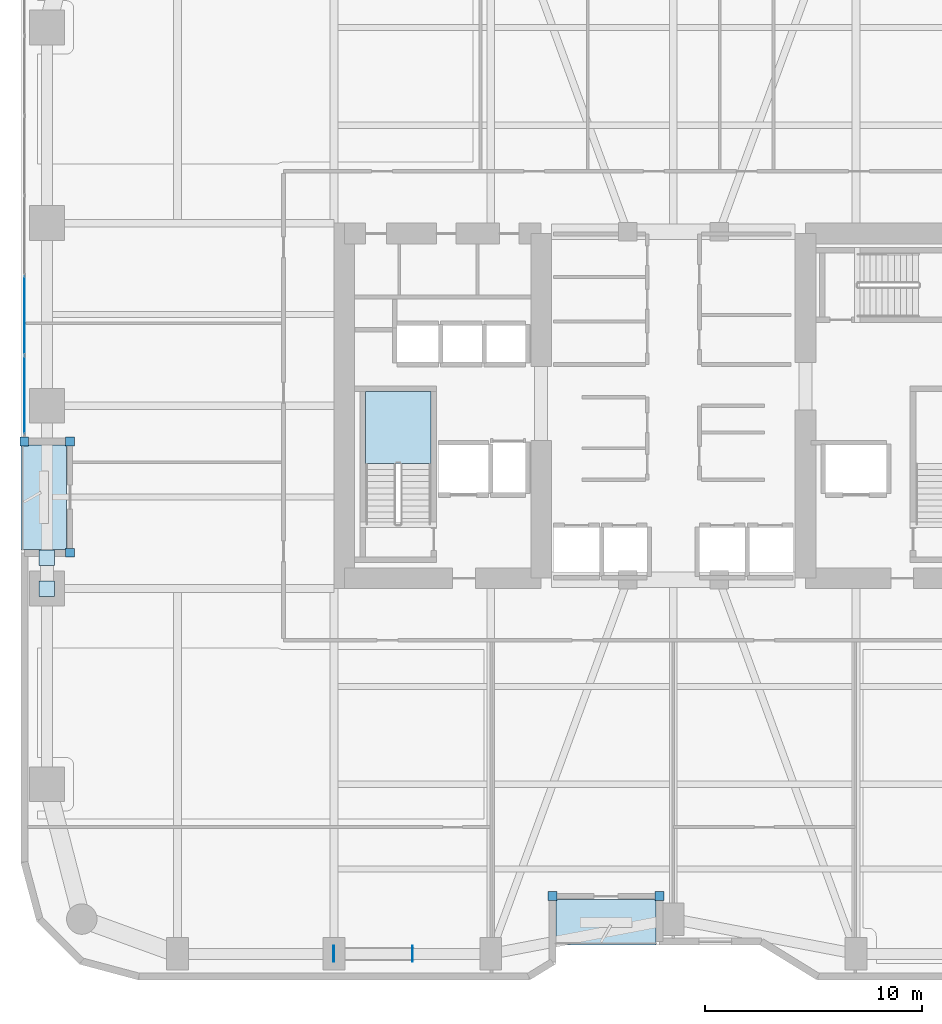
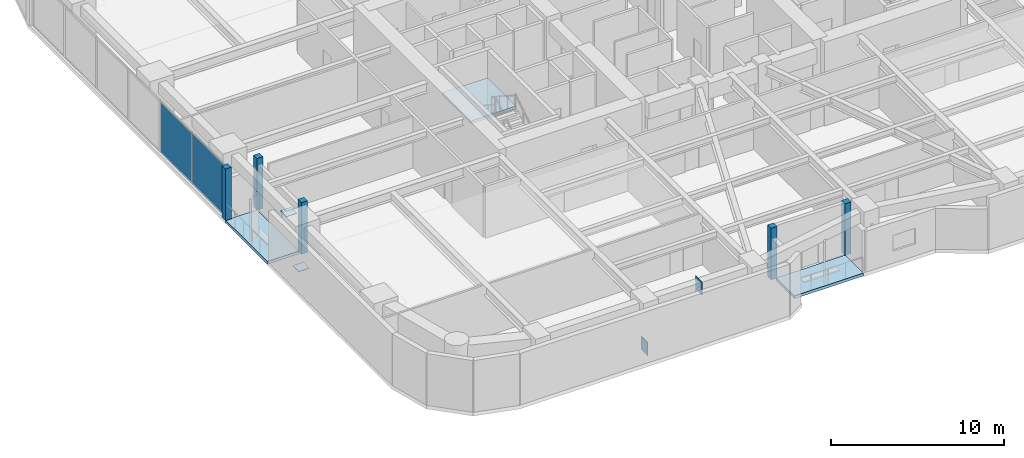
# One storey, part 19 of 28: 11 plates, 3 slabs, 2 elements without a shape of their own.
"""IFC4 building model written with IfcOpenShell, lengths in metres."""

from ifc_helpers import new_model, si_unit, direction, frame, origin, origin_2d, place, context, subcontext, project, spatial, polyline, rectangle, outline, extrude, material, layer, layer_set, type_object, element, aggregate, save


model = new_model("IFC4")

# Units and contexts
model_context = context("Model", 3, precision=1e-05, world=origin(), true_north=direction((0.0, 1.0)))
body_context = subcontext(model_context, "Body", "Model", "MODEL_VIEW")
ifc_project = project(units=[si_unit("LENGTHUNIT", "METRE"), si_unit("AREAUNIT", "SQUARE_METRE"), si_unit("VOLUMEUNIT", "CUBIC_METRE"), si_unit("PLANEANGLEUNIT", "RADIAN"), si_unit("MASSUNIT", "GRAM", prefix="KILO")], contexts=[model_context])

# Site, building, storey
site_placement = place(None, origin())
site = spatial("IfcSite", under=ifc_project, at=site_placement, CompositionType="ELEMENT")
building_placement = place(site_placement, origin())
building = spatial("IfcBuilding", under=site, at=building_placement, Name="Kiyonajd Concourse Tower", CompositionType="ELEMENT")
storey_placement = place(building_placement, frame((0.0, 0.0, 41.10009765625)))
storey = spatial("IfcBuildingStorey", under=building, at=storey_placement, Name="L11", CompositionType="ELEMENT", Elevation=41.10009765625)

# Plates
ifc_material_1 = material(Name="Steel ASTM A572 Grade 50", Category="steel")
ifc_layer_1 = layer(ifc_material_1, 0.028076171875)
ifc_layer_set_1 = layer_set([ifc_layer_1], Name="Steel ASTM A572 Grade 50")
plate_type_1 = type_object("IfcPlateType", Name="PL-CAP-450", PredefinedType="USERDEFINED", material=ifc_layer_set_1)
for number, where, z_axis, x_axis, name in (
    (1, (32.3916015625, 10.800048828125, -0.173583984375), (0.0, 0.0, 1.0), (-1.0, 0.0, 0.0), "L11 Hollow Brace End Cap Plate PBS"),
    (2, (36.008544921875, 10.800048828125, 2.830322265625), (0.0, 0.0, 1.0), (1.0, 0.0, 0.0), "L11 Hollow Brace Top Cap Plate PBS"),
):
    element("IfcPlate", number, at=place(storey_placement, frame(where, z_axis=z_axis, x_axis=x_axis)), inside=storey, type_object=plate_type_1, Name=name, ObjectType="CAP PLATE", PredefinedType="USERDEFINED", context=body_context, shape_type="SweptSolid", body=[
        extrude(rectangle(XDim=0.035888671875, YDim=0.72998046875, at=origin_2d()), origin(), (0.0, 0.0, 1.0), 0.93310546875),
    ])
for number, where, z_axis, x_axis, name in (
    (3, (19.199951171875, 27.59521484375, 0.27587890625), (0.0, 0.0, 1.0), (1.0, 0.0, 0.0), "L11 Hollow Brace End Cap Plate PBW"),
    (4, (19.199951171875, 29.004638671875, 3.28564453125), (0.0, 0.0, 1.0), (1.0, 0.0, 0.0), "L11 Hollow Brace Top Cap Plate PBW"),
):
    element("IfcPlate", number, at=place(storey_placement, frame(where, z_axis=z_axis, x_axis=x_axis)), inside=storey, type_object=plate_type_1, Name=name, ObjectType="CAP PLATE", PredefinedType="USERDEFINED", context=body_context, shape_type="SweptSolid", body=[
        extrude(rectangle(XDim=0.7099609375, YDim=0.7099609375, at=origin_2d()), origin(), (0.0, 0.0, 1.0), 0.028076171875),
    ])

# Curtain wall, plates
ifc_material_2 = material(Name="Thermally Broken Anodised Aluminium", Category="aluminium")
ifc_layer_2 = layer(ifc_material_2, 0.179931640625)
ifc_layer_set_2 = layer_set([ifc_layer_2], Name="Thermally Broken Anodised Aluminium")
curtain_wall_type = type_object("IfcCurtainWallType", Name="CW-SYS-02", PredefinedType="NOTDEFINED", material=ifc_layer_set_2)
curtain_wall_placement = place(storey_placement, origin())
curtain_wall = element("IfcCurtainWall", 5, at=curtain_wall_placement, inside=storey, type_object=curtain_wall_type, Name="L11 Unitised Curtain Wall CW2", PredefinedType="NOTDEFINED")
ifc_material_3 = material(Name="Double Low-E Insulated Glass", Category="glass")
ifc_layer_3 = layer(ifc_material_3, 0.028076171875)
ifc_layer_set_3 = layer_set([ifc_layer_3], Name="Double Low-E Insulated Glass")
plate_type_2 = type_object("IfcPlateType", Name="PL-CW-VIS28", PredefinedType="CURTAIN_PANEL", material=ifc_layer_set_3)
plate_1_placement = place(storey_placement, frame((18.159912109375, 36.5029296875, 0.06494140625), z_axis=(0.0, 0.0, 1.0), x_axis=(0.0, 1.0, 0.0)))
plate_1 = element("IfcPlate", 6, at=plate_1_placement, type_object=plate_type_2, Name="CW2 panel 1.1", PredefinedType="CURTAIN_PANEL", context=body_context, shape_type="SweptSolid", body=[
    extrude(rectangle(XDim=3.57568359375, YDim=0.028076171875, at=origin_2d()), origin(), (0.0, 0.0, 1.0), 3.510009765625),
])
plate_2_placement = place(storey_placement, frame((18.159912109375, 40.15966796875, 0.06494140625), z_axis=(0.0, 0.0, 1.0), x_axis=(0.0, 1.0, 0.0)))
plate_2 = element("IfcPlate", 7, at=plate_2_placement, type_object=plate_type_2, Name="CW2 panel 2.1", PredefinedType="CURTAIN_PANEL", context=body_context, shape_type="SweptSolid", body=[
    extrude(rectangle(XDim=3.608154296875, YDim=0.028076171875, at=origin_2d()), origin(), (0.0, 0.0, 1.0), 3.510009765625),
])
aggregate(curtain_wall, [plate_1, plate_2])

# Plates
ifc_layer_4 = layer(ifc_material_2, 0.39990234375)
ifc_layer_set_4 = layer_set([ifc_layer_4], Name="Thermally Broken Anodised Aluminium")
plate_type_3 = type_object("IfcPlateType", Name="PL-JMB-400", PredefinedType="USERDEFINED", material=ifc_layer_set_4)
for number, where, z_axis, x_axis, name in (
    (8, (20.260009765625, 29.239990234375, 0.0), (0.0, 0.0, 1.0), (1.0, 0.0, 0.0), "L11 Facade Jamb Closure Plate 01"),
    (9, (20.260009765625, 34.360107421875, 0.0), (0.0, 0.0, 1.0), (1.0, 0.0, 0.0), "L11 Facade Jamb Closure Plate 02"),
    (10, (18.159912109375, 34.360107421875, 0.0), (0.0, 0.0, 1.0), (1.0, 0.0, 0.0), "L11 Facade Jamb Closure Plate 03"),
    (11, (47.360107421875, 13.4599609375, 0.0), (0.0, 0.0, 1.0), (1.0, 0.0, 0.0), "L11 Facade Jamb Closure Plate 13"),
    (12, (42.43994140625, 13.4599609375, 0.0), (0.0, 0.0, 1.0), (1.0, 0.0, 0.0), "L11 Facade Jamb Closure Plate 14"),
):
    element("IfcPlate", number, at=place(storey_placement, frame(where, z_axis=z_axis, x_axis=x_axis)), inside=storey, type_object=plate_type_3, Name=name, ObjectType="JAMB PLATE", PredefinedType="USERDEFINED", context=body_context, shape_type="SweptSolid", body=[
        extrude(rectangle(XDim=0.39990234375, YDim=0.39990234375, at=origin_2d()), origin(), (0.0, 0.0, 1.0), 3.639892578125),
    ])

# Stair, slab
ifc_material_4 = material(Name="Concrete C40/50", Category="concrete")
stair_type = type_object("IfcStairType", Name="ST-DLG-22R", PredefinedType="HALF_TURN_STAIR", material=ifc_material_4)
stair_placement = place(storey_placement, origin())
stair = element("IfcStair", 13, at=stair_placement, inside=storey, type_object=stair_type, Name="L11 Protected Exit Stair ST1", PredefinedType="HALF_TURN_STAIR")
ifc_layer_5 = layer(ifc_material_4, 0.199951171875)
ifc_layer_set_5 = layer_set([ifc_layer_5], Name="Concrete C40/50")
slab_type_1 = type_object("IfcSlabType", Name="SL-LND-200", PredefinedType="LANDING", material=ifc_layer_set_5)
slab_1_placement = place(storey_placement, frame((0.0, 0.0, 1.75)))
slab_1 = element("IfcSlab", 14, at=slab_1_placement, type_object=slab_type_1, Name="ST1 landing 1", PredefinedType="LANDING", context=body_context, shape_type="SweptSolid", body=[
    extrude(outline(polyline([(36.85009765625, 33.35009765625), (36.85009765625, 36.64990234375), (33.85009765625, 36.64990234375), (33.85009765625, 33.35009765625), (36.85009765625, 33.35009765625)])), origin(), (0.0, 0.0, 1.0), 0.199951171875),
])
aggregate(stair, [slab_1])

# Slabs
ifc_material_5 = material(Name="Precast concrete C50/60", Category="concrete")
ifc_layer_6 = layer(ifc_material_5, 0.199951171875)
ifc_layer_set_6 = layer_set([ifc_layer_6], Name="Precast concrete C50/60")
slab_type_2 = type_object("IfcSlabType", Name="SL-LOG-200", PredefinedType="FLOOR", material=ifc_layer_set_6)
slab_2_placement = place(storey_placement, frame((0.0, 0.0, -0.2001953125)))
element("IfcSlab", 15, at=slab_2_placement, inside=storey, type_object=slab_type_2, Name="L11 Recessed Engawa Loggia Terrace Slab LOG-S", PredefinedType="FLOOR", context=body_context, shape_type="SweptSolid", body=[
    extrude(outline(polyline([(42.60009765625, 11.199951171875), (47.199951171875, 11.199951171875), (47.199951171875, 13.300048828125), (42.60009765625, 13.300048828125), (42.60009765625, 11.199951171875)])), origin(), (0.0, 0.0, 1.0), 0.2001953125),
])
slab_3_placement = place(storey_placement, frame((0.0, 0.0, -0.2001953125)))
element("IfcSlab", 16, at=slab_3_placement, inside=storey, type_object=slab_type_2, Name="L11 Recessed Engawa Loggia Terrace Slab LOG-W", PredefinedType="FLOOR", context=body_context, shape_type="SweptSolid", body=[
    extrude(outline(polyline([(18.0, 29.39990234375), (20.10009765625, 29.39990234375), (20.10009765625, 34.199951171875), (18.0, 34.199951171875), (18.0, 29.39990234375)])), origin(), (0.0, 0.0, 1.0), 0.2001953125),
])

save(model, "model.ifc")
